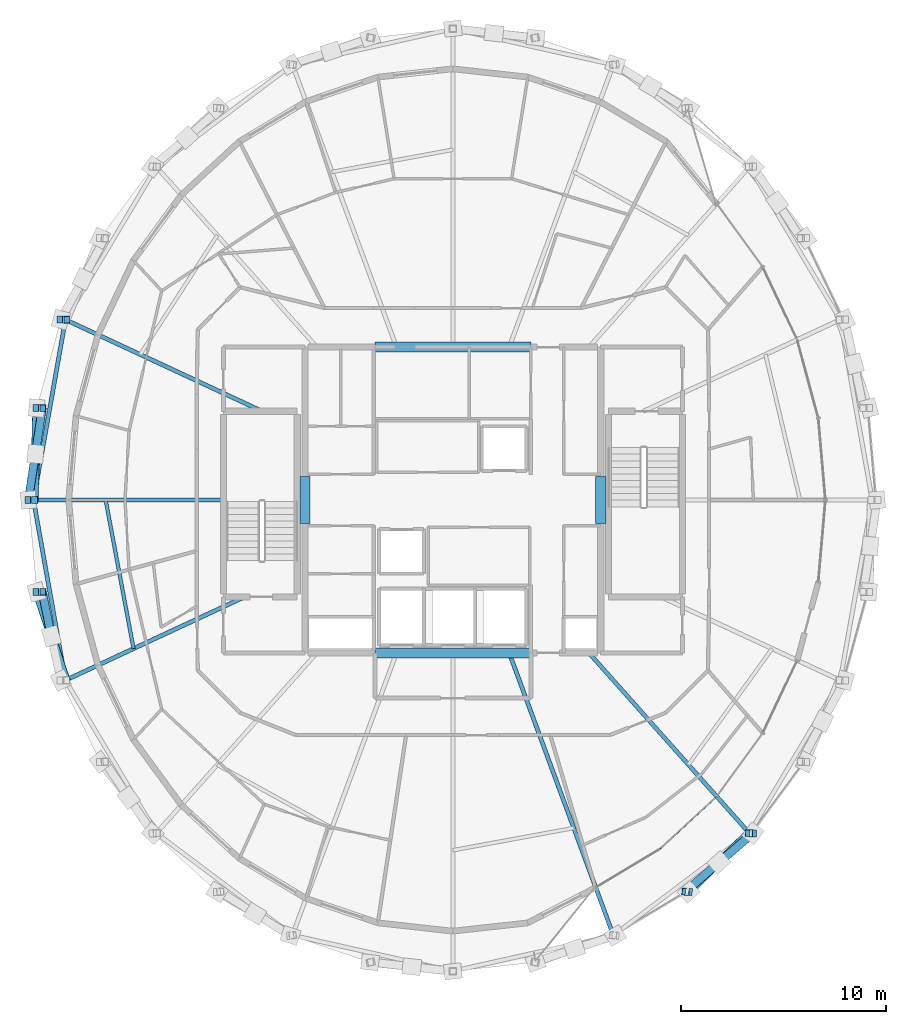
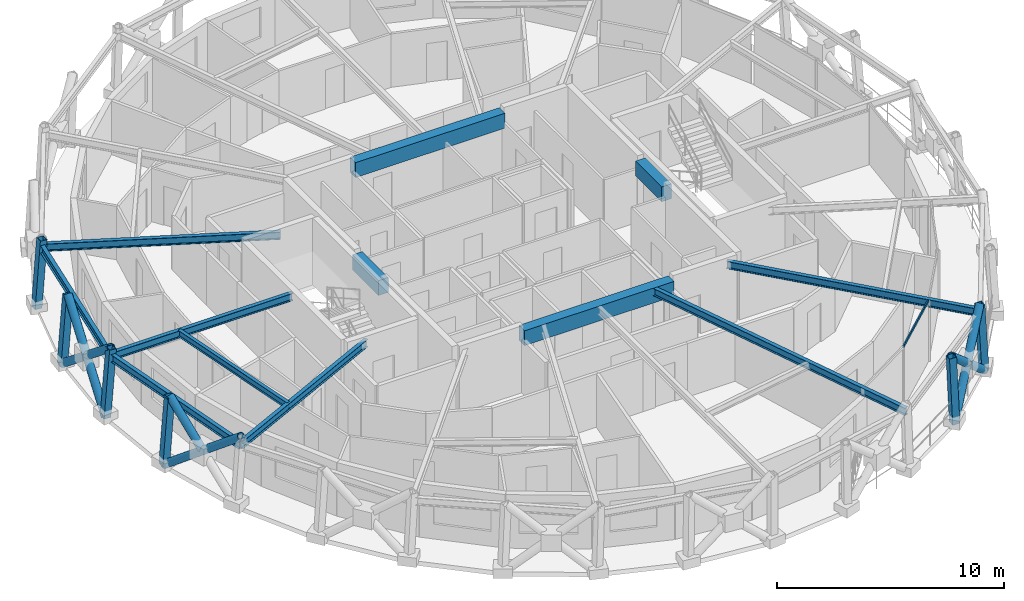
# One storey, part 3 of 16: 15 members, 12 beams, 1 element without a shape of its own.
"""IFC4 building model written with IfcOpenShell, lengths in metres."""

import ifcopenshell
import ifcopenshell.guid

model = None  # the IFC model being written
_history = None  # IfcOwnerHistory: only IFC2X3 demands one
_inside = {}  # id of a spatial element -> (the spatial element, [elements in it])
_under = {}  # id of a project, library or spatial element -> (it, [spatial elements below it])
_declared = {}  # id of a project -> (the project, [libraries it declares])
_typed = {}  # id of a type object -> (the type object, [elements of that type])
_made_of = {}  # id of a material, layer set ... -> (it, [elements and type objects made of it])


def new_model(schema):
    """Start an empty IFC model of exactly this schema.

    Asked for "IFC4X3", IfcOpenShell would pick the latest addendum, in which some entities
    have other attributes; the version numbers below select the first issue.
    IFC2X3 requires an IfcOwnerHistory on every rooted entity: one is made here for all.
    """
    global model, _history
    if schema == "IFC4X3":
        model = ifcopenshell.file(schema_version=(4, 3, 0, 0))
    else:
        model = ifcopenshell.file(schema=schema)
    _inside.clear()
    _under.clear()
    _declared.clear()
    _typed.clear()
    _made_of.clear()
    _history = None
    if model.schema == "IFC2X3":
        org = make("IfcOrganization", Name="unknown")
        user = make(
            "IfcPersonAndOrganization",
            ThePerson=make("IfcPerson", FamilyName="unknown"),
            TheOrganization=org,
        )
        app = make(
            "IfcApplication",
            ApplicationDeveloper=org,
            Version="unknown",
            ApplicationFullName="unknown",
            ApplicationIdentifier="unknown",
        )
        _history = make(
            "IfcOwnerHistory",
            OwningUser=user,
            OwningApplication=app,
            ChangeAction="ADDED",
            CreationDate=0,
        )
    return model


def make(cls, **values):
    """One entity of the class cls with the attributes given. An attribute that is None is left unset."""
    return model.create_entity(
        cls, **{name: value for name, value in values.items() if value is not None}
    )


def rooted(cls, **values):
    """An entity with a GlobalId (a new one), such as an element, a storey or a relation."""
    return make(cls, GlobalId=ifcopenshell.guid.new(), OwnerHistory=_history, **values)


def si_unit(unit_type, name, prefix=None):
    """IfcSIUnit, for example si_unit("LENGTHUNIT", "METRE", prefix="MILLI")."""
    return make("IfcSIUnit", UnitType=unit_type, Prefix=prefix, Name=name)


def assignment(units):
    """IfcUnitAssignment: the units of a project."""
    return None if units is None else make("IfcUnitAssignment", Units=units)


def point(xyz):
    """IfcCartesianPoint."""
    return None if xyz is None else make("IfcCartesianPoint", Coordinates=xyz)


def direction(xyz):
    """IfcDirection."""
    return None if xyz is None else make("IfcDirection", DirectionRatios=xyz)


def frame(location, z_axis=None, x_axis=None):
    """IfcAxis2Placement3D, a coordinate frame: its origin and axes. An axis left out is left unset."""
    return make(
        "IfcAxis2Placement3D",
        Location=point(location),
        Axis=direction(z_axis),
        RefDirection=direction(x_axis),
    )


def frame_2d(location, x_axis=None):
    """IfcAxis2Placement2D, a coordinate frame in the plane: its origin and x axis."""
    return make(
        "IfcAxis2Placement2D", Location=point(location), RefDirection=direction(x_axis)
    )


def origin():
    """The frame at (0, 0, 0) with its axes left unset."""
    return frame((0.0, 0.0, 0.0))


def origin_2d():
    """The frame at (0, 0) in the plane with its x axis left unset."""
    return frame_2d((0.0, 0.0))


def place(relative_to, where):
    """IfcLocalPlacement: puts the frame where relative to a parent placement (None: the world)."""
    return make(
        "IfcLocalPlacement", PlacementRelTo=relative_to, RelativePlacement=where
    )


def context(
    kind, dimensions, precision=None, world=None, true_north=None, identifier=None
):
    """IfcGeometricRepresentationContext, for example the 3D "Model" context."""
    return make(
        "IfcGeometricRepresentationContext",
        ContextIdentifier=identifier,
        ContextType=kind,
        CoordinateSpaceDimension=dimensions,
        Precision=precision,
        WorldCoordinateSystem=world,
        TrueNorth=true_north,
    )


def subcontext(parent, identifier, kind, view, scale=None):
    """IfcGeometricRepresentationSubContext, for example "Body" below "Model"."""
    return make(
        "IfcGeometricRepresentationSubContext",
        ContextIdentifier=identifier,
        ContextType=kind,
        ParentContext=parent,
        TargetScale=scale,
        TargetView=view,
    )


def project(units=None, contexts=None):
    """IfcProject with its units and contexts."""
    return rooted(
        "IfcProject",
        Name="project",
        RepresentationContexts=contexts,
        UnitsInContext=assignment(units),
    )


def spatial(cls, under=None, at=None, **own):
    """A site, building, storey or space (cls), placed at a placement, below another one or the project."""
    s = rooted(cls, ObjectPlacement=at, **own)
    if under is not None:
        _under.setdefault(under.id(), (under, []))[1].append(s)
    return s


def profile(cls, at=None, kind="AREA", **sizes):
    """A parametric profile (cls). Its sizes go by their IFC names, for example OverallWidth=200.0."""
    return make(cls, ProfileType=kind, Position=at, **sizes)


def rectangle(**sizes):
    """IfcRectangleProfileDef."""
    return profile("IfcRectangleProfileDef", **sizes)


def hollow_rectangle(**sizes):
    """IfcRectangleHollowProfileDef."""
    return profile("IfcRectangleHollowProfileDef", **sizes)


def hollow_circle(**sizes):
    """IfcCircleHollowProfileDef."""
    return profile("IfcCircleHollowProfileDef", **sizes)


def i_section(**sizes):
    """IfcIShapeProfileDef."""
    return profile("IfcIShapeProfileDef", **sizes)


def extrude(swept, where, along, depth):
    """IfcExtrudedAreaSolid: the profile swept, set in the frame where, extruded along a direction by depth."""
    return make(
        "IfcExtrudedAreaSolid",
        SweptArea=swept,
        Position=where,
        ExtrudedDirection=direction(along),
        Depth=depth,
    )


def shape(context_of_items, identifier, shape_type, items):
    """IfcShapeRepresentation: the items that make up one representation, for example the "Body"."""
    return make(
        "IfcShapeRepresentation",
        ContextOfItems=context_of_items,
        RepresentationIdentifier=identifier,
        RepresentationType=shape_type,
        Items=items,
    )


def material(Name=None, Category=None):
    """IfcMaterial."""
    return make("IfcMaterial", Name=Name, Category=Category)


def layer(
    of_material, thickness, ventilated=None, Name=None, Category=None, Priority=None
):
    """IfcMaterialLayer: one layer of a wall or slab, of a material (None: an air gap)."""
    return make(
        "IfcMaterialLayer",
        Material=of_material,
        LayerThickness=thickness,
        IsVentilated=ventilated,
        Name=Name,
        Category=Category,
        Priority=Priority,
    )


def layer_set(layers, Name=None):
    """IfcMaterialLayerSet."""
    return make("IfcMaterialLayerSet", MaterialLayers=layers, LayerSetName=Name)


def material_profile(
    of_material, cross_section, Name=None, Category=None, Priority=None
):
    """IfcMaterialProfile: a cross section and its material."""
    return make(
        "IfcMaterialProfile",
        Name=Name,
        Material=of_material,
        Profile=cross_section,
        Priority=Priority,
        Category=Category,
    )


def profile_set(profiles, Name=None, composite=None):
    """IfcMaterialProfileSet."""
    return make(
        "IfcMaterialProfileSet",
        Name=Name,
        MaterialProfiles=profiles,
        CompositeProfile=composite,
    )


def made_of(thing, what):
    """Note that an element or type object is made of a material, layer set ...; save() writes the relation."""
    if what is not None:
        _made_of.setdefault(what.id(), (what, []))[1].append(thing)
    return thing


def type_object(cls, material=None, **own):
    """A type object (cls), such as IfcWallType, which elements share."""
    return made_of(rooted(cls, **own), material)


def element(
    cls,
    number,
    at=None,
    inside=None,
    cuts=None,
    type_object=None,
    material=None,
    context=None,
    identifier="Body",
    shape_type=None,
    held_by="IfcProductDefinitionShape",
    body=None,
    shapes=None,
    **own,
):
    """One element of the class cls, such as IfcWall. Its Tag is "e" and its number.

    at: its placement. inside: the storey or other place that contains it. cuts: it is an
    opening in that element (IfcRelVoidsElement). A single representation is given by context,
    identifier, shape_type and body (its items); several are given by shapes. held_by: the class
    of the entity that holds the representations. save() writes the other relations.
    """
    e = rooted(cls, Tag="e%d" % number, ObjectPlacement=at, **own)
    if body is not None:
        shapes = [shape(context, identifier, shape_type, body)]
    if shapes is not None:
        e.Representation = make(held_by, Representations=shapes)
    if inside is not None:
        _inside.setdefault(inside.id(), (inside, []))[1].append(e)
    if cuts is not None:
        rooted(
            "IfcRelVoidsElement", RelatingBuildingElement=cuts, RelatedOpeningElement=e
        )
    if type_object is not None:
        _typed.setdefault(type_object.id(), (type_object, []))[1].append(e)
    return made_of(e, material)


def aggregate(whole, parts):
    """IfcRelAggregates: a whole, such as a stair, and the parts it consists of."""
    return rooted("IfcRelAggregates", RelatingObject=whole, RelatedObjects=parts)


def save(model, path):
    """Write the relations noted so far, then the file.

    IfcRelAggregates (storeys below a building ...), IfcRelContainedInSpatialStructure (elements
    in a storey), IfcRelDefinesByType, IfcRelAssociatesMaterial and IfcRelDeclares: one each for
    every whole, place, type object, material and project.
    """
    for whole, parts in _under.values():
        aggregate(whole, parts)
    for where, things in _inside.values():
        rooted(
            "IfcRelContainedInSpatialStructure",
            RelatedElements=things,
            RelatingStructure=where,
        )
    for kind, things in _typed.values():
        rooted("IfcRelDefinesByType", RelatedObjects=things, RelatingType=kind)
    for what, things in _made_of.values():
        rooted("IfcRelAssociatesMaterial", RelatedObjects=things, RelatingMaterial=what)
    for by, libraries in _declared.values():
        rooted("IfcRelDeclares", RelatingContext=by, RelatedDefinitions=libraries)
    model.write(path)


model = new_model("IFC4")

# Units and contexts
model_context = context("Model", 3, precision=1e-05, world=origin(), true_north=direction((0.0, 1.0)))
body_context = subcontext(model_context, "Body", "Model", "MODEL_VIEW")
ifc_project = project(units=[si_unit("LENGTHUNIT", "METRE"), si_unit("AREAUNIT", "SQUARE_METRE"), si_unit("VOLUMEUNIT", "CUBIC_METRE"), si_unit("PLANEANGLEUNIT", "RADIAN"), si_unit("MASSUNIT", "GRAM", prefix="KILO")], contexts=[model_context])

# Site, building, storey
site_placement = place(None, origin())
site = spatial("IfcSite", under=ifc_project, at=site_placement, CompositionType="ELEMENT")
building_placement = place(site_placement, origin())
building = spatial("IfcBuilding", under=site, at=building_placement, Name="Veldorina Hangang Commons", CompositionType="ELEMENT")
storey_placement = place(building_placement, frame((0.0, 0.0, 279.60009765625)))
storey = spatial("IfcBuildingStorey", under=building, at=storey_placement, Name="L73", CompositionType="ELEMENT", Elevation=279.60009765625)

# Beams
ifc_material_1 = material(Name="Concrete C50/60", Category="concrete")
ifc_material_profile_1 = material_profile(ifc_material_1, rectangle(XDim=0.5, YDim=0.800048828125, at=origin_2d()), Name="RC-CB-500x800")
ifc_profile_set_1 = profile_set([ifc_material_profile_1], Name="Concrete C50/60")
beam_type_1 = type_object("IfcBeamType", Name="BM-CB800", PredefinedType="LINTEL", material=ifc_profile_set_1)
for number, where, z_axis, x_axis, name in (
    (1, (24.800048828125, 22.85009765625, 2.9599609375), (0.0, 1.0, 0.0), (-1.0, 0.0, 0.0), "L73 W core coupling lintel beam"),
    (2, (39.199951171875, 22.85009765625, 2.9599609375), (0.0, 1.0, 0.0), (-1.0, 0.0, 0.0), "L73 E core coupling lintel beam"),
):
    element("IfcBeam", number, at=place(storey_placement, frame(where, z_axis=z_axis, x_axis=x_axis)), inside=storey, type_object=beam_type_1, Name=name, PredefinedType="LINTEL", context=body_context, shape_type="SweptSolid", body=[
        extrude(rectangle(XDim=0.5, YDim=0.800048828125, at=origin_2d()), origin(), (0.0, 0.0, 1.0), 2.2998046875),
    ])
for number, where, z_axis, x_axis, name in (
    (3, (28.199951171875, 16.550048828125, 2.9599609375), (1.0, 0.0, 0.0), (0.0, 1.0, 0.0), "L73 south core coupling beam"),
    (4, (28.199951171875, 31.449951171875, 2.9599609375), (1.0, 0.0, 0.0), (0.0, 1.0, 0.0), "L73 north core coupling beam"),
):
    element("IfcBeam", number, at=place(storey_placement, frame(where, z_axis=z_axis, x_axis=x_axis)), inside=storey, type_object=beam_type_1, Name=name, PredefinedType="LINTEL", context=body_context, shape_type="SweptSolid", body=[
        extrude(rectangle(XDim=0.5, YDim=0.800048828125, at=origin_2d()), origin(), (0.0, 0.0, 1.0), 7.60009765625),
    ])
ifc_material_2 = material(Name="Steel SM355-TMC", Category="steel")
ifc_material_profile_2 = material_profile(ifc_material_2, i_section(OverallWidth=0.199951171875, OverallDepth=0.39990234375, WebThickness=0.008056640625, FlangeThickness=0.012939453125, FilletRadius=0.012939453125, at=origin_2d()), Name="H-400x200x8x13")
ifc_profile_set_2 = profile_set([ifc_material_profile_2], Name="Steel SM355-TMC")
beam_type_2 = type_object("IfcBeamType", Name="BM-FG400", PredefinedType="BEAM", material=ifc_profile_set_2)
beam_1_placement = place(storey_placement, frame((22.718505859375, 28.320068359375, 3.159912109375), z_axis=(-0.906610840288, 0.421967752645, 0.0), x_axis=(-0.421967752645, -0.906610840288, 0.0)))
element("IfcBeam", 5, at=beam_1_placement, inside=storey, type_object=beam_type_2, Name="L73 radial floor girder 08", PredefinedType="BEAM", context=body_context, shape_type="SweptSolid", body=[
    extrude(i_section(OverallWidth=0.199951171875, OverallDepth=0.39990234375, WebThickness=0.008056640625, FlangeThickness=0.012939453125, FilletRadius=0.012939453125, at=origin_2d()), origin(), (0.0, 0.0, 1.0), 10.57568359375),
])
beam_2_placement = place(storey_placement, frame((20.820068359375, 24.0, 3.159912109375), z_axis=(-1.0, 0.0, 0.0), x_axis=(0.0, -1.0, 0.0)))
element("IfcBeam", 6, at=beam_2_placement, inside=storey, type_object=beam_type_2, Name="L73 radial floor girder 09", PredefinedType="BEAM", context=body_context, shape_type="SweptSolid", body=[
    extrude(i_section(OverallWidth=0.199951171875, OverallDepth=0.39990234375, WebThickness=0.008056640625, FlangeThickness=0.012939453125, FilletRadius=0.012939453125, at=origin_2d()), origin(), (0.0, 0.0, 1.0), 9.244384765625),
])
beam_3_placement = place(storey_placement, frame((21.85888671875, 19.280029296875, 3.159912109375), z_axis=(-0.906603136981, -0.421984303046, 0.0), x_axis=(0.421984303046, -0.906603136981, 0.0)))
element("IfcBeam", 7, at=beam_3_placement, inside=storey, type_object=beam_type_2, Name="L73 radial floor girder 10", PredefinedType="BEAM", context=body_context, shape_type="SweptSolid", body=[
    extrude(i_section(OverallWidth=0.199951171875, OverallDepth=0.39990234375, WebThickness=0.008056640625, FlangeThickness=0.012939453125, FilletRadius=0.012939453125, at=origin_2d()), origin(), (0.0, 0.0, 1.0), 9.627685546875),
])
beam_4_placement = place(storey_placement, frame((34.746337890625, 16.550048828125, 3.159912109375), z_axis=(0.345868219805, -0.938283099352, 0.0), x_axis=(0.938283099352, 0.345868219805, 0.0)))
element("IfcBeam", 8, at=beam_4_placement, inside=storey, type_object=beam_type_2, Name="L73 radial floor girder 14", PredefinedType="BEAM", context=body_context, shape_type="SweptSolid", body=[
    extrude(i_section(OverallWidth=0.199951171875, OverallDepth=0.39990234375, WebThickness=0.008056640625, FlangeThickness=0.012939453125, FilletRadius=0.012939453125, at=origin_2d()), origin(), (0.0, 0.0, 1.0), 14.657470703125),
])
beam_5_placement = place(storey_placement, frame((38.630126953125, 16.550048828125, 3.159912109375), z_axis=(0.664804756988, -0.747017158495, 0.0), x_axis=(0.747017158495, 0.664804756988, 0.0)))
element("IfcBeam", 9, at=beam_5_placement, inside=storey, type_object=beam_type_2, Name="L73 radial floor girder 15", PredefinedType="BEAM", context=body_context, shape_type="SweptSolid", body=[
    extrude(i_section(OverallWidth=0.199951171875, OverallDepth=0.39990234375, WebThickness=0.008056640625, FlangeThickness=0.012939453125, FilletRadius=0.012939453125, at=origin_2d()), origin(), (0.0, 0.0, 1.0), 11.750732421875),
])
ifc_material_profile_3 = material_profile(ifc_material_2, i_section(OverallWidth=0.175048828125, OverallDepth=0.35009765625, WebThickness=0.007080078125, FlangeThickness=0.010986328125, FilletRadius=0.012939453125, at=origin_2d()), Name="H-350x175x7x11")
ifc_profile_set_3 = profile_set([ifc_material_profile_3], Name="Steel SM355-TMC")
beam_type_3 = type_object("IfcBeamType", Name="BM-JST350", PredefinedType="JOIST", material=ifc_profile_set_3)
beam_6_placement = place(storey_placement, frame((15.08837890625, 24.0, 3.184814453125), z_axis=(0.184500676703, -0.982832386675, 0.0), x_axis=(0.982832386675, 0.184500676703, 0.0)))
element("IfcBeam", 10, at=beam_6_placement, inside=storey, type_object=beam_type_3, Name="L73 secondary floor joist 09", PredefinedType="JOIST", context=body_context, shape_type="SweptSolid", body=[
    extrude(i_section(OverallWidth=0.175048828125, OverallDepth=0.35009765625, WebThickness=0.007080078125, FlangeThickness=0.010986328125, FilletRadius=0.012939453125, at=origin_2d()), origin(), (0.0, 0.0, 1.0), 7.365234375),
])
ifc_material_profile_4 = material_profile(ifc_material_2, i_section(OverallWidth=0.199951171875, OverallDepth=0.39990234375, WebThickness=0.008056640625, FlangeThickness=0.012939453125, FilletRadius=0.012939453125, at=origin_2d()), Name="H-400x200x8x13")
ifc_profile_set_4 = profile_set([ifc_material_profile_4], Name="Steel SM355-TMC")
beam_type_4 = type_object("IfcBeamType", Name="BM-RB400", PredefinedType="BEAM", material=ifc_profile_set_4)
for number, where, z_axis, x_axis, name in (
    (11, (13.13037109375, 32.78271484375, 3.159912109375), (-0.174306853031, -0.984691383626, 0.0), (0.984691383626, -0.174306853031, 0.0), "L73 perimeter hoop ring beam 14"),
    (12, (11.57568359375, 24.0, 3.159912109375), (0.174306853031, -0.984691383626, 0.0), (0.984691383626, 0.174306853031, 0.0), "L73 perimeter hoop ring beam 16"),
):
    element("IfcBeam", number, at=place(storey_placement, frame(where, z_axis=z_axis, x_axis=x_axis)), inside=storey, type_object=beam_type_4, Name=name, PredefinedType="BEAM", context=body_context, shape_type="SweptSolid", body=[
        extrude(i_section(OverallWidth=0.199951171875, OverallDepth=0.39990234375, WebThickness=0.008056640625, FlangeThickness=0.012939453125, FilletRadius=0.012939453125, at=origin_2d()), origin(), (0.0, 0.0, 1.0), 8.919189453125),
    ])

# Curtain wall, member
ifc_material_3 = material(Name="Glass Low-E Selective", Category="glass")
ifc_layer = layer(ifc_material_3, 0.179931640625)
ifc_layer_set = layer_set([ifc_layer], Name="Glass Low-E Selective")
curtain_wall_type = type_object("IfcCurtainWallType", Name="CW-SYS-Z3", PredefinedType="NOTDEFINED", material=ifc_layer_set)
curtain_wall_placement = place(storey_placement, origin())
curtain_wall = element("IfcCurtainWall", 13, at=curtain_wall_placement, inside=storey, type_object=curtain_wall_type, Name="L73 unitised curtain wall CW-L73-R1", PredefinedType="NOTDEFINED")
ifc_material_4 = material(Name="Aluminium Anodized AA6063-T6", Category="aluminium")
ifc_material_profile_5 = material_profile(ifc_material_4, hollow_rectangle(XDim=0.06005859375, YDim=0.139892578125, WallThickness=0.00341796875, at=origin_2d()), Name="ALU-RHS-140x60x3.5")
ifc_profile_set_5 = profile_set([ifc_material_profile_5], Name="Aluminium Anodized AA6063-T6")
member_type_1 = type_object("IfcMemberType", Name="CW-TRN-140", PredefinedType="USERDEFINED", material=ifc_profile_set_5)
member_1_placement = place(storey_placement, frame((42.085205078125, 7.00439453125, 3.27978515625), z_axis=(0.734423473608, 0.678691506808, 0.0), x_axis=(-0.678691506808, 0.734423473608, 0.0)))
member_1 = element("IfcMember", 14, at=member_1_placement, type_object=member_type_1, Name="CW-L73-R1 facet 2 transom 1", ObjectType="TRANSOM", PredefinedType="USERDEFINED", context=body_context, shape_type="SweptSolid", body=[
    extrude(hollow_rectangle(XDim=0.06005859375, YDim=0.139892578125, WallThickness=0.00341796875, at=origin_2d()), origin(), (0.0, 0.0, 1.0), 3.745361328125),
])
aggregate(curtain_wall, [member_1])

# Members
ifc_material_profile_6 = material_profile(ifc_material_2, hollow_circle(Radius=0.199951171875, WallThickness=0.02001953125, at=origin_2d()), Name="CHS-400x20")
ifc_profile_set_6 = profile_set([ifc_material_profile_6], Name="Steel SM355-TMC")
member_type_2 = type_object("IfcMemberType", Name="DG-CHS400", PredefinedType="BRACE", material=ifc_profile_set_6)
member_2_placement = place(storey_placement, frame((11.724609375, 28.4794921875, 0.0), z_axis=(-0.019878335385, -0.779332687278, 0.626294989858), x_axis=(0.999674858506, -0.025498573893, 0.0)))
element("IfcMember", 15, at=member_2_placement, inside=storey, type_object=member_type_2, Name="L73 continuous perimeter diagrid brace 15", PredefinedType="BRACE", context=body_context, shape_type="SweptSolid", body=[
    extrude(hollow_circle(Radius=0.199951171875, WallThickness=0.02001953125, at=origin_2d()), origin(), (0.0, 0.0, 1.0), 5.747802734375),
])
member_3_placement = place(storey_placement, frame((11.327392578125, 24.0, 0.0), z_axis=(0.117546123521, 0.773880472947, 0.622327825536), x_axis=(-0.988660277735, 0.150169421752, 0.0)))
element("IfcMember", 16, at=member_3_placement, inside=storey, type_object=member_type_2, Name="L73 split perimeter diagrid lower brace 16", PredefinedType="BRACE", context=body_context, shape_type="SweptSolid", body=[
    extrude(hollow_circle(Radius=0.199951171875, WallThickness=0.02001953125, at=origin_2d()), origin(), (0.0, 0.0, 1.0), 2.893310546875),
])
member_4_placement = place(storey_placement, frame((11.66748046875, 26.239013671875, 1.800537109375), z_axis=(0.11577540847, 0.774116097336, 0.622366710741), x_axis=(-0.98900035968, 0.1479131115, 0.0)))
element("IfcMember", 17, at=member_4_placement, inside=storey, type_object=member_type_2, Name="L73 split perimeter diagrid upper brace 16", PredefinedType="BRACE", context=body_context, shape_type="SweptSolid", body=[
    extrude(hollow_circle(Radius=0.199951171875, WallThickness=0.02001953125, at=origin_2d()), origin(), (0.0, 0.0, 1.0), 2.89111328125),
])
member_5_placement = place(storey_placement, frame((11.724609375, 19.5205078125, 0.0), z_axis=(0.248265527461, -0.742941652309, 0.621612362441), x_axis=(0.948446229962, 0.316938083655, 0.0)))
element("IfcMember", 18, at=member_5_placement, inside=storey, type_object=member_type_2, Name="L73 continuous perimeter diagrid brace 17", PredefinedType="BRACE", context=body_context, shape_type="SweptSolid", body=[
    extrude(hollow_circle(Radius=0.199951171875, WallThickness=0.02001953125, at=origin_2d()), origin(), (0.0, 0.0, 1.0), 5.791259765625),
])
member_6_placement = place(storey_placement, frame((12.444091796875, 17.367919921875, 1.80126953125), z_axis=(-0.155512562002, 0.758402975023, 0.632961902911), x_axis=(-0.979617261958, -0.200873144233, 0.0)))
element("IfcMember", 19, at=member_6_placement, inside=storey, type_object=member_type_2, Name="L73 split perimeter diagrid upper brace 18", PredefinedType="BRACE", context=body_context, shape_type="SweptSolid", body=[
    extrude(hollow_circle(Radius=0.199951171875, WallThickness=0.02001953125, at=origin_2d()), origin(), (0.0, 0.0, 1.0), 2.841552734375),
])
member_7_placement = place(storey_placement, frame((43.485107421875, 4.908935546875, 0.0), z_axis=(0.537558888151, 0.524983626116, 0.659865618198), x_axis=(-0.698689194359, 0.715425334809, 0.0)))
element("IfcMember", 20, at=member_7_placement, inside=storey, type_object=member_type_2, Name="L73 continuous perimeter diagrid brace 27", PredefinedType="BRACE", context=body_context, shape_type="SweptSolid", body=[
    extrude(hollow_circle(Radius=0.199951171875, WallThickness=0.02001953125, at=origin_2d()), origin(), (0.0, 0.0, 1.0), 5.455322265625),
])
member_8_placement = place(storey_placement, frame((46.617919921875, 7.764404296875, 0.0), z_axis=(-0.585968260511, -0.500265126716, 0.637476274591), x_axis=(0.649298656408, -0.76053353298, 0.0)))
element("IfcMember", 21, at=member_8_placement, inside=storey, type_object=member_type_2, Name="L73 split perimeter diagrid lower brace 28", PredefinedType="BRACE", context=body_context, shape_type="SweptSolid", body=[
    extrude(hollow_circle(Radius=0.199951171875, WallThickness=0.02001953125, at=origin_2d()), origin(), (0.0, 0.0, 1.0), 2.83447265625),
])
member_9_placement = place(storey_placement, frame((44.95703125, 6.346435546875, 1.806884765625), z_axis=(-0.579383862059, -0.507666333202, 0.637643501118), x_axis=(0.659023123066, -0.752122678334, 0.0)))
element("IfcMember", 22, at=member_9_placement, inside=storey, type_object=member_type_2, Name="L73 split perimeter diagrid upper brace 28", PredefinedType="BRACE", context=body_context, shape_type="SweptSolid", body=[
    extrude(hollow_circle(Radius=0.199951171875, WallThickness=0.02001953125, at=origin_2d()), origin(), (0.0, 0.0, 1.0), 2.811767578125),
])
ifc_material_profile_7 = material_profile(ifc_material_2, hollow_rectangle(XDim=0.35009765625, YDim=0.35009765625, WallThickness=0.01611328125, at=origin_2d()), Name="SHS-350x350x16")
ifc_profile_set_7 = profile_set([ifc_material_profile_7], Name="Steel SM355-TMC")
member_type_3 = type_object("IfcMemberType", Name="STR-SHS350", PredefinedType="STRUT", material=ifc_profile_set_7)
member_10_placement = place(storey_placement, frame((12.90087890625, 32.78662109375, 0.0), z_axis=(0.072443882672, -0.001285185594, 0.997371662), x_axis=(0.017737638505, 0.999842675715, 0.0)))
element("IfcMember", 23, at=member_10_placement, inside=storey, type_object=member_type_3, Name="L73 perimeter ring node post 14", PredefinedType="STRUT", context=body_context, shape_type="SweptSolid", body=[
    extrude(hollow_rectangle(XDim=0.35009765625, YDim=0.35009765625, WallThickness=0.01611328125, at=origin_2d()), origin(), (0.0, 0.0, 1.0), 3.609375),
])
member_11_placement = place(storey_placement, frame((11.724609375, 28.4794921875, 0.0), z_axis=(0.076882630726, -0.000676188485, 0.997039920897), x_axis=(0.008794734614, 0.999961325574, 0.0)))
element("IfcMember", 24, at=member_11_placement, inside=storey, type_object=member_type_3, Name="L73 perimeter ring node post 15", PredefinedType="STRUT", context=body_context, shape_type="SweptSolid", body=[
    extrude(hollow_rectangle(XDim=0.35009765625, YDim=0.35009765625, WallThickness=0.01611328125, at=origin_2d()), origin(), (0.0, 0.0, 1.0), 3.610595703125),
])
member_12_placement = place(storey_placement, frame((11.327392578125, 24.0, 0.0), z_axis=(0.078361214814, 0.0, 0.996925032293), x_axis=(0.0, 1.0, 0.0)))
element("IfcMember", 25, at=member_12_placement, inside=storey, type_object=member_type_3, Name="L73 perimeter ring node post 16", PredefinedType="STRUT", context=body_context, shape_type="SweptSolid", body=[
    extrude(hollow_rectangle(XDim=0.35009765625, YDim=0.35009765625, WallThickness=0.01611328125, at=origin_2d()), origin(), (0.0, 0.0, 1.0), 3.61083984375),
])
member_13_placement = place(storey_placement, frame((11.724609375, 19.5205078125, 0.0), z_axis=(0.076882630726, 0.000676188485, 0.997039920897), x_axis=(-0.008794734614, 0.999961325574, 0.0)))
element("IfcMember", 26, at=member_13_placement, inside=storey, type_object=member_type_3, Name="L73 perimeter ring node post 17", PredefinedType="STRUT", context=body_context, shape_type="SweptSolid", body=[
    extrude(hollow_rectangle(XDim=0.35009765625, YDim=0.35009765625, WallThickness=0.01611328125, at=origin_2d()), origin(), (0.0, 0.0, 1.0), 3.610595703125),
])
member_14_placement = place(storey_placement, frame((43.485107421875, 4.908935546875, 0.0), z_axis=(-0.043634055947, 0.002777944556, 0.999043718856), x_axis=(-0.063535965105, -0.997979549459, 0.0)))
element("IfcMember", 27, at=member_14_placement, inside=storey, type_object=member_type_3, Name="L73 perimeter ring node post 27", PredefinedType="STRUT", context=body_context, shape_type="SweptSolid", body=[
    extrude(hollow_rectangle(XDim=0.35009765625, YDim=0.35009765625, WallThickness=0.01611328125, at=origin_2d()), origin(), (0.0, 0.0, 1.0), 3.603271484375),
])
member_15_placement = place(storey_placement, frame((46.617919921875, 7.764404296875, 0.0), z_axis=(-0.055526119102, 0.002370017279, 0.998454422152), x_axis=(-0.042644099308, -0.999090326644, 0.0)))
element("IfcMember", 28, at=member_15_placement, inside=storey, type_object=member_type_3, Name="L73 perimeter ring node post 28", PredefinedType="STRUT", context=body_context, shape_type="SweptSolid", body=[
    extrude(hollow_rectangle(XDim=0.35009765625, YDim=0.35009765625, WallThickness=0.01611328125, at=origin_2d()), origin(), (0.0, 0.0, 1.0), 3.60546875),
])

save(model, "model.ifc")
